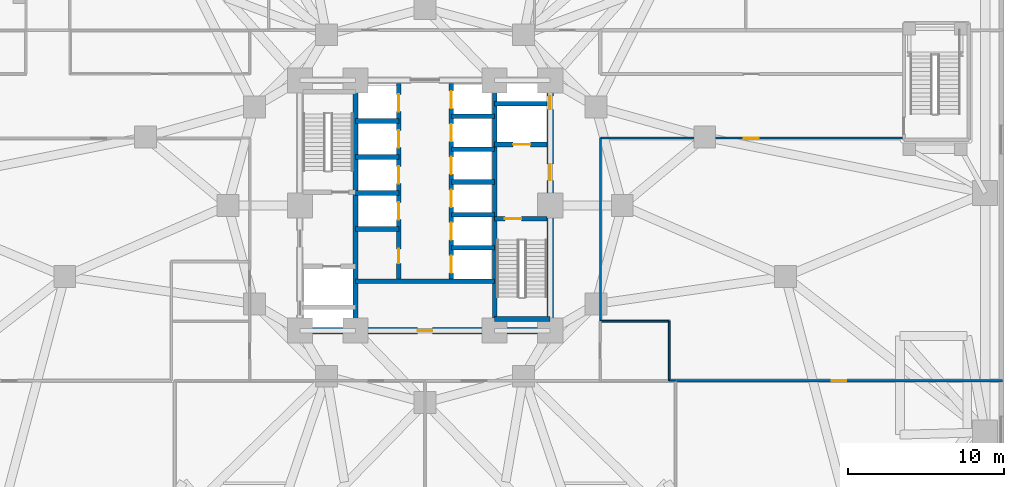
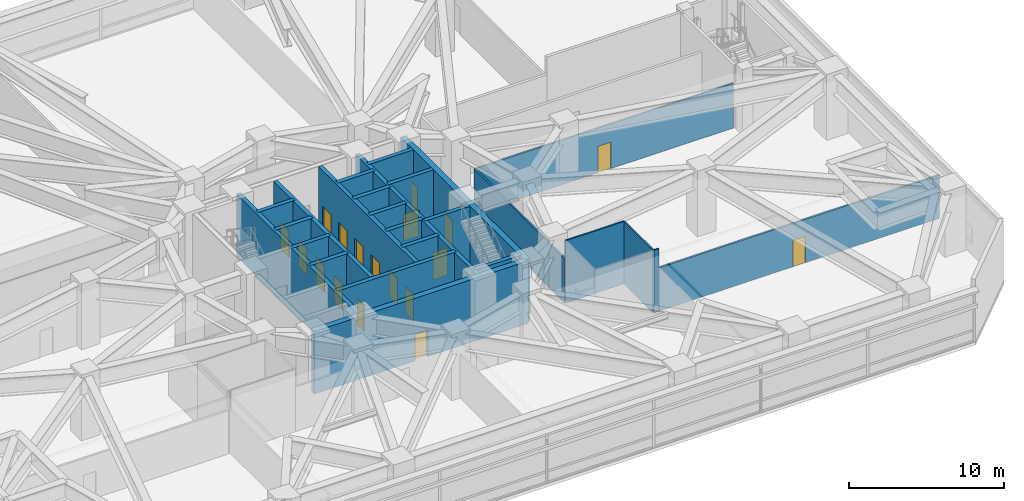
# One storey, part 16 of 27: 26 walls, 18 doors, 18 openings.
"""IFC4 building model written with IfcOpenShell, lengths in metres."""

from ifc_helpers import new_model, si_unit, direction, frame, frame_2d, origin, place, context, subcontext, project, spatial, rectangle, extrude, material, layer, layer_set, type_object, element, fill, save


model = new_model("IFC4")

# Units and contexts
model_context = context("Model", 3, precision=1e-05, world=origin(), true_north=direction((0.0, 1.0)))
body_context = subcontext(model_context, "Body", "Model", "MODEL_VIEW")
ifc_project = project(units=[si_unit("LENGTHUNIT", "METRE"), si_unit("AREAUNIT", "SQUARE_METRE"), si_unit("VOLUMEUNIT", "CUBIC_METRE"), si_unit("PLANEANGLEUNIT", "RADIAN"), si_unit("MASSUNIT", "GRAM", prefix="KILO")], contexts=[model_context])

# Site, building, storey
site_placement = place(None, origin())
site = spatial("IfcSite", under=ifc_project, at=site_placement, CompositionType="ELEMENT")
building_placement = place(site_placement, origin())
building = spatial("IfcBuilding", under=site, at=building_placement, Name="Terralouvre Media Tower", CompositionType="ELEMENT")
storey_placement = place(building_placement, frame((0.0, 0.0, 20.800048828125)))
storey = spatial("IfcBuildingStorey", under=building, at=storey_placement, Name="L04", CompositionType="ELEMENT", Elevation=20.800048828125)

# Walls
ifc_material_1 = material(Name="Concrete C50/60", Category="concrete")
ifc_layer_1 = layer(ifc_material_1, 0.300048828125, Name="Core Internal Shaft Wall CW-300")
ifc_layer_set_1 = layer_set([ifc_layer_1], Name="Concrete C50/60")
wall_type_1 = type_object("IfcWallType", Name="Core Internal Shaft Wall CW-300", PredefinedType="SHEAR", material=ifc_layer_set_1)
for number, where, z_axis, x_axis, name in (
    (1, (-4.449951171875, -7.7900390625, 0.0), (0.0, 0.0, 1.0), (0.0, 1.0, 0.0), "L04 Core Shaft Wall SPW"),
    (2, (4.449951171875, -7.7900390625, 0.0), (0.0, 0.0, 1.0), (0.0, 1.0, 0.0), "L04 Core Shaft Wall SPE"),
):
    element("IfcWall", number, at=place(storey_placement, frame(where, z_axis=z_axis, x_axis=x_axis)), inside=storey, type_object=wall_type_1, Name=name, PredefinedType="SHEAR", context=body_context, shape_type="SweptSolid", body=[
        extrude(rectangle(XDim=15.580078125, YDim=0.300048828125, at=frame_2d((7.7900390625, 0.0))), origin(), (0.0, 0.0, 1.0), 4.93994140625),
    ])

# Wall, opening, door
wall_1_placement = place(storey_placement, frame((4.449951171875, -0.85009765625, 0.0), z_axis=(0.0, 0.0, 1.0), x_axis=(1.0, 0.0, 0.0)))
wall_1 = element("IfcWall", 3, at=wall_1_placement, inside=storey, type_object=wall_type_1, Name="L04 Core Shaft Wall ST2D", PredefinedType="SHEAR", context=body_context, shape_type="SweptSolid", body=[
    extrude(rectangle(XDim=3.340087890625, YDim=0.300048828125, at=frame_2d((1.669921875, 0.0))), origin(), (0.0, 0.0, 1.0), 4.93994140625),
])
opening_1_placement = place(wall_1_placement, frame((0.64990234375, 0.0, 0.0)))
opening_1 = element("IfcOpeningElement", 4, at=opening_1_placement, cuts=wall_1, Name="Opening FD-01-105X215", PredefinedType="OPENING", context=body_context, shape_type="SweptSolid", body=[
    extrude(rectangle(XDim=1.050048828125, YDim=2.14990234375, at=frame_2d((0.52490234375, 1.074951171875))), frame((0.0, 0.159912109375, 0.0), z_axis=(0.0, -1.0, 0.0), x_axis=(1.0, 0.0, 0.0)), (0.0, 0.0, 1.0), 0.320068359375),
])
ifc_material_2 = material(Name="Galvanised steel fire-resisting leaf", Category="steel")
door_type_1 = type_object("IfcDoorType", Name="Stair and Firefighting Lobby Fire Door FD-01 (1050x2150)", OperationType="NOTDEFINED", PredefinedType="DOOR", material=ifc_material_2)
door_1_placement = place(opening_1_placement, origin())
door_1 = element("IfcDoor", 5, at=door_1_placement, inside=storey, type_object=door_type_1, Name="L04 ST-02 Exit Stair Door", OperationType="SINGLE_SWING_RIGHT", OverallHeight=2.14990234375, OverallWidth=1.050048828125, PredefinedType="DOOR", context=body_context, shape_type="SweptSolid", body=[
    extrude(rectangle(XDim=1.050048828125, YDim=2.14990234375, at=frame_2d((0.52490234375, 1.074951171875))), frame((0.0, 0.02490234375, 0.0), z_axis=(0.0, -1.0, 0.0), x_axis=(1.0, 0.0, 0.0)), (0.0, 0.0, 1.0), 0.050048828125),
])
fill(opening_1, door_1)

# Wall
wall_2_placement = place(storey_placement, frame((4.449951171875, -7.260009765625, 0.0), z_axis=(0.0, 0.0, 1.0), x_axis=(1.0, 0.0, 0.0)))
element("IfcWall", 6, at=wall_2_placement, inside=storey, type_object=wall_type_1, Name="L04 Core Shaft Wall ST2F", PredefinedType="SHEAR", context=body_context, shape_type="SweptSolid", body=[
    extrude(rectangle(XDim=3.550048828125, YDim=0.300048828125, at=frame_2d((1.77490234375, 0.0))), origin(), (0.0, 0.0, 1.0), 4.93994140625),
])

# Wall, opening, door
wall_3_placement = place(storey_placement, frame((4.449951171875, 3.89990234375, 0.0), z_axis=(0.0, 0.0, 1.0), x_axis=(1.0, 0.0, 0.0)))
wall_3 = element("IfcWall", 7, at=wall_3_placement, inside=storey, type_object=wall_type_1, Name="L04 Core Shaft Wall FF2S", PredefinedType="SHEAR", context=body_context, shape_type="SweptSolid", body=[
    extrude(rectangle(XDim=3.340087890625, YDim=0.300048828125, at=frame_2d((1.669921875, 0.0))), origin(), (0.0, 0.0, 1.0), 4.93994140625),
])
opening_2_placement = place(wall_3_placement, frame((1.179931640625, 0.0, 0.0)))
opening_2 = element("IfcOpeningElement", 8, at=opening_2_placement, cuts=wall_3, Name="Opening LD-FF", PredefinedType="OPENING", context=body_context, shape_type="SweptSolid", body=[
    extrude(rectangle(XDim=1.10009765625, YDim=2.10009765625, at=frame_2d((0.550048828125, 1.050048828125))), frame((0.0, 0.159912109375, 0.0), z_axis=(0.0, -1.0, 0.0), x_axis=(1.0, 0.0, 0.0)), (0.0, 0.0, 1.0), 0.320068359375),
])
ifc_material_3 = material(Name="Stainless steel 316 handrail and balustrade", Category="steel")
door_type_2 = type_object("IfcDoorType", Name="Firefighting Lift Sliding Landing Door LD-FF", OperationType="SLIDING_TO_LEFT", PredefinedType="DOOR", material=ifc_material_3)
door_2_placement = place(opening_2_placement, origin())
door_2 = element("IfcDoor", 9, at=door_2_placement, inside=storey, type_object=door_type_2, Name="L04 Firefighting Lift FFL-02 Landing Door", OperationType="SLIDING_TO_LEFT", OverallHeight=2.10009765625, OverallWidth=1.10009765625, PredefinedType="DOOR", context=body_context, shape_type="SweptSolid", body=[
    extrude(rectangle(XDim=1.10009765625, YDim=2.10009765625, at=frame_2d((0.550048828125, 1.050048828125))), frame((0.0, 0.02490234375, 0.0), z_axis=(0.0, -1.0, 0.0), x_axis=(1.0, 0.0, 0.0)), (0.0, 0.0, 1.0), 0.050048828125),
])
fill(opening_2, door_2)

# Walls
wall_4_placement = place(storey_placement, frame((4.449951171875, 6.5, 0.0), z_axis=(0.0, 0.0, 1.0), x_axis=(1.0, 0.0, 0.0)))
element("IfcWall", 10, at=wall_4_placement, inside=storey, type_object=wall_type_1, Name="L04 Core Shaft Wall FF2N", PredefinedType="SHEAR", context=body_context, shape_type="SweptSolid", body=[
    extrude(rectangle(XDim=3.340087890625, YDim=0.300048828125, at=frame_2d((1.669921875, 0.0))), origin(), (0.0, 0.0, 1.0), 4.93994140625),
])
wall_5_placement = place(storey_placement, frame((-4.449951171875, -4.85009765625, 0.0), z_axis=(0.0, 0.0, 1.0), x_axis=(1.0, 0.0, 0.0)))
element("IfcWall", 11, at=wall_5_placement, inside=storey, type_object=wall_type_1, Name="L04 Core Shaft Wall CSBN", PredefinedType="SHEAR", context=body_context, shape_type="SweptSolid", body=[
    extrude(rectangle(XDim=8.89990234375, YDim=0.300048828125, at=frame_2d((4.449951171875, 0.0))), origin(), (0.0, 0.0, 1.0), 4.93994140625),
])

# Wall, openings, doors
wall_6_placement = place(storey_placement, frame((-1.679931640625, -4.85009765625, 0.0), z_axis=(0.0, 0.0, 1.0), x_axis=(0.0, 1.0, 0.0)))
wall_6 = element("IfcWall", 12, at=wall_6_placement, inside=storey, type_object=wall_type_1, Name="L04 Core Shaft Wall LBW", PredefinedType="SHEAR", context=body_context, shape_type="SweptSolid", body=[
    extrude(rectangle(XDim=12.64013671875, YDim=0.300048828125, at=frame_2d((6.320068359375, 0.0))), origin(), (0.0, 0.0, 1.0), 4.93994140625),
])
opening_3_placement = place(wall_6_placement, frame((3.949951171875, 0.0, 0.0)))
opening_3 = element("IfcOpeningElement", 13, at=opening_3_placement, cuts=wall_6, Name="Opening LD-PL", PredefinedType="OPENING", context=body_context, shape_type="SweptSolid", body=[
    extrude(rectangle(XDim=1.10009765625, YDim=2.10009765625, at=frame_2d((0.550048828125, 1.050048828125))), frame((0.0, 0.159912109375, 0.0), z_axis=(0.0, -1.0, 0.0), x_axis=(1.0, 0.0, 0.0)), (0.0, 0.0, 1.0), 0.320068359375),
])
opening_4_placement = place(wall_6_placement, frame((6.25, 0.0, 0.0)))
opening_4 = element("IfcOpeningElement", 14, at=opening_4_placement, cuts=wall_6, Name="Opening LD-PL", PredefinedType="OPENING", context=body_context, shape_type="SweptSolid", body=[
    extrude(rectangle(XDim=1.10009765625, YDim=2.10009765625, at=frame_2d((0.550048828125, 1.050048828125))), frame((0.0, 0.159912109375, 0.0), z_axis=(0.0, -1.0, 0.0), x_axis=(1.0, 0.0, 0.0)), (0.0, 0.0, 1.0), 0.320068359375),
])
opening_5_placement = place(wall_6_placement, frame((8.550048828125, 0.0, 0.0)))
opening_5 = element("IfcOpeningElement", 15, at=opening_5_placement, cuts=wall_6, Name="Opening LD-PL", PredefinedType="OPENING", context=body_context, shape_type="SweptSolid", body=[
    extrude(rectangle(XDim=1.10009765625, YDim=2.10009765625, at=frame_2d((0.550048828125, 1.050048828125))), frame((0.0, 0.159912109375, 0.0), z_axis=(0.0, -1.0, 0.0), x_axis=(1.0, 0.0, 0.0)), (0.0, 0.0, 1.0), 0.320068359375),
])
opening_6_placement = place(wall_6_placement, frame((10.85009765625, 0.0, 0.0)))
opening_6 = element("IfcOpeningElement", 16, at=opening_6_placement, cuts=wall_6, Name="Opening LD-PL", PredefinedType="OPENING", context=body_context, shape_type="SweptSolid", body=[
    extrude(rectangle(XDim=1.10009765625, YDim=2.10009765625, at=frame_2d((0.550048828125, 1.050048828125))), frame((0.0, 0.159912109375, 0.0), z_axis=(0.0, -1.0, 0.0), x_axis=(1.0, 0.0, 0.0)), (0.0, 0.0, 1.0), 0.320068359375),
])
opening_7_placement = place(wall_6_placement, frame((1.14990234375, 0.0, 0.0)))
opening_7 = element("IfcOpeningElement", 17, at=opening_7_placement, cuts=wall_6, Name="Opening FD-05-92X210", PredefinedType="OPENING", context=body_context, shape_type="SweptSolid", body=[
    extrude(rectangle(XDim=0.919921875, YDim=2.10009765625, at=frame_2d((0.4599609375, 1.050048828125))), frame((0.0, 0.159912109375, 0.0), z_axis=(0.0, -1.0, 0.0), x_axis=(1.0, 0.0, 0.0)), (0.0, 0.0, 1.0), 0.320068359375),
])
ifc_material_4 = material(Name="Galvanised steel fire-resisting leaf", Category="steel")
door_type_3 = type_object("IfcDoorType", Name="Core Accessible Closet Fire Door FD-05 (920x2100)", OperationType="NOTDEFINED", PredefinedType="DOOR", material=ifc_material_4)
door_3_placement = place(opening_7_placement, origin())
door_3 = element("IfcDoor", 18, at=door_3_placement, inside=storey, type_object=door_type_3, Name="L04 Core Cleaners Closet Door", OperationType="SINGLE_SWING_LEFT", OverallHeight=2.10009765625, OverallWidth=0.919921875, PredefinedType="DOOR", context=body_context, shape_type="SweptSolid", body=[
    extrude(rectangle(XDim=0.919921875, YDim=2.10009765625, at=frame_2d((0.4599609375, 1.050048828125))), frame((0.0, 0.02490234375, 0.0), z_axis=(0.0, -1.0, 0.0), x_axis=(1.0, 0.0, 0.0)), (0.0, 0.0, 1.0), 0.050048828125),
])
fill(opening_7, door_3)
ifc_material_5 = material(Name="Stainless steel 316 handrail and balustrade", Category="steel")
door_type_4 = type_object("IfcDoorType", Name="Passenger Lift Sliding Landing Door LD-PL", OperationType="SLIDING_TO_LEFT", PredefinedType="DOOR", material=ifc_material_5)
door_4_placement = place(opening_3_placement, origin())
door_4 = element("IfcDoor", 19, at=door_4_placement, inside=storey, type_object=door_type_4, Name="L04 Low-Rise Lift PL-L1 Landing Door", OperationType="SLIDING_TO_LEFT", OverallHeight=2.10009765625, OverallWidth=1.10009765625, PredefinedType="DOOR", context=body_context, shape_type="SweptSolid", body=[
    extrude(rectangle(XDim=1.10009765625, YDim=2.10009765625, at=frame_2d((0.550048828125, 1.050048828125))), frame((0.0, 0.02490234375, 0.0), z_axis=(0.0, -1.0, 0.0), x_axis=(1.0, 0.0, 0.0)), (0.0, 0.0, 1.0), 0.050048828125),
])
fill(opening_3, door_4)
door_5_placement = place(opening_4_placement, origin())
door_5 = element("IfcDoor", 20, at=door_5_placement, inside=storey, type_object=door_type_4, Name="L04 Low-Rise Lift PL-L2 Landing Door", OperationType="SLIDING_TO_LEFT", OverallHeight=2.10009765625, OverallWidth=1.10009765625, PredefinedType="DOOR", context=body_context, shape_type="SweptSolid", body=[
    extrude(rectangle(XDim=1.10009765625, YDim=2.10009765625, at=frame_2d((0.550048828125, 1.050048828125))), frame((0.0, 0.02490234375, 0.0), z_axis=(0.0, -1.0, 0.0), x_axis=(1.0, 0.0, 0.0)), (0.0, 0.0, 1.0), 0.050048828125),
])
fill(opening_4, door_5)
door_6_placement = place(opening_5_placement, origin())
door_6 = element("IfcDoor", 21, at=door_6_placement, inside=storey, type_object=door_type_4, Name="L04 Low-Rise Lift PL-L3 Landing Door", OperationType="SLIDING_TO_LEFT", OverallHeight=2.10009765625, OverallWidth=1.10009765625, PredefinedType="DOOR", context=body_context, shape_type="SweptSolid", body=[
    extrude(rectangle(XDim=1.10009765625, YDim=2.10009765625, at=frame_2d((0.550048828125, 1.050048828125))), frame((0.0, 0.02490234375, 0.0), z_axis=(0.0, -1.0, 0.0), x_axis=(1.0, 0.0, 0.0)), (0.0, 0.0, 1.0), 0.050048828125),
])
fill(opening_5, door_6)
door_7_placement = place(opening_6_placement, origin())
door_7 = element("IfcDoor", 22, at=door_7_placement, inside=storey, type_object=door_type_4, Name="L04 Low-Rise Lift PL-L4 Landing Door", OperationType="SLIDING_TO_LEFT", OverallHeight=2.10009765625, OverallWidth=1.10009765625, PredefinedType="DOOR", context=body_context, shape_type="SweptSolid", body=[
    extrude(rectangle(XDim=1.10009765625, YDim=2.10009765625, at=frame_2d((0.550048828125, 1.050048828125))), frame((0.0, 0.02490234375, 0.0), z_axis=(0.0, -1.0, 0.0), x_axis=(1.0, 0.0, 0.0)), (0.0, 0.0, 1.0), 0.050048828125),
])
fill(opening_6, door_7)

wall_7_placement = place(storey_placement, frame((1.679931640625, -4.85009765625, 0.0), z_axis=(0.0, 0.0, 1.0), x_axis=(0.0, 1.0, 0.0)))
wall_7 = element("IfcWall", 23, at=wall_7_placement, inside=storey, type_object=wall_type_1, Name="L04 Core Shaft Wall LBE", PredefinedType="SHEAR", context=body_context, shape_type="SweptSolid", body=[
    extrude(rectangle(XDim=12.64013671875, YDim=0.300048828125, at=frame_2d((6.320068359375, 0.0))), origin(), (0.0, 0.0, 1.0), 4.93994140625),
])
opening_8_placement = place(wall_7_placement, frame((0.550048828125, 0.0, 0.0)))
opening_8 = element("IfcOpeningElement", 24, at=opening_8_placement, cuts=wall_7, Name="Opening LD-PL", PredefinedType="OPENING", context=body_context, shape_type="SweptSolid", body=[
    extrude(rectangle(XDim=1.10009765625, YDim=2.10009765625, at=frame_2d((0.550048828125, 1.050048828125))), frame((0.0, 0.159912109375, 0.0), z_axis=(0.0, -1.0, 0.0), x_axis=(1.0, 0.0, 0.0)), (0.0, 0.0, 1.0), 0.320068359375),
])
opening_9_placement = place(wall_7_placement, frame((2.64990234375, 0.0, 0.0)))
opening_9 = element("IfcOpeningElement", 25, at=opening_9_placement, cuts=wall_7, Name="Opening LD-PL", PredefinedType="OPENING", context=body_context, shape_type="SweptSolid", body=[
    extrude(rectangle(XDim=1.10009765625, YDim=2.10009765625, at=frame_2d((0.550048828125, 1.050048828125))), frame((0.0, 0.159912109375, 0.0), z_axis=(0.0, -1.0, 0.0), x_axis=(1.0, 0.0, 0.0)), (0.0, 0.0, 1.0), 0.320068359375),
])
opening_10_placement = place(wall_7_placement, frame((4.75, 0.0, 0.0)))
opening_10 = element("IfcOpeningElement", 26, at=opening_10_placement, cuts=wall_7, Name="Opening LD-PL", PredefinedType="OPENING", context=body_context, shape_type="SweptSolid", body=[
    extrude(rectangle(XDim=1.10009765625, YDim=2.10009765625, at=frame_2d((0.550048828125, 1.050048828125))), frame((0.0, 0.159912109375, 0.0), z_axis=(0.0, -1.0, 0.0), x_axis=(1.0, 0.0, 0.0)), (0.0, 0.0, 1.0), 0.320068359375),
])
opening_11_placement = place(wall_7_placement, frame((6.85009765625, 0.0, 0.0)))
opening_11 = element("IfcOpeningElement", 27, at=opening_11_placement, cuts=wall_7, Name="Opening LD-PL", PredefinedType="OPENING", context=body_context, shape_type="SweptSolid", body=[
    extrude(rectangle(XDim=1.10009765625, YDim=2.10009765625, at=frame_2d((0.550048828125, 1.050048828125))), frame((0.0, 0.159912109375, 0.0), z_axis=(0.0, -1.0, 0.0), x_axis=(1.0, 0.0, 0.0)), (0.0, 0.0, 1.0), 0.320068359375),
])
opening_12_placement = place(wall_7_placement, frame((8.949951171875, 0.0, 0.0)))
opening_12 = element("IfcOpeningElement", 28, at=opening_12_placement, cuts=wall_7, Name="Opening LD-PL", PredefinedType="OPENING", context=body_context, shape_type="SweptSolid", body=[
    extrude(rectangle(XDim=1.10009765625, YDim=2.10009765625, at=frame_2d((0.550048828125, 1.050048828125))), frame((0.0, 0.159912109375, 0.0), z_axis=(0.0, -1.0, 0.0), x_axis=(1.0, 0.0, 0.0)), (0.0, 0.0, 1.0), 0.320068359375),
])
opening_13_placement = place(wall_7_placement, frame((11.050048828125, 0.0, 0.0)))
opening_13 = element("IfcOpeningElement", 29, at=opening_13_placement, cuts=wall_7, Name="Opening LD-PL", PredefinedType="OPENING", context=body_context, shape_type="SweptSolid", body=[
    extrude(rectangle(XDim=1.10009765625, YDim=2.10009765625, at=frame_2d((0.550048828125, 1.050048828125))), frame((0.0, 0.159912109375, 0.0), z_axis=(0.0, -1.0, 0.0), x_axis=(1.0, 0.0, 0.0)), (0.0, 0.0, 1.0), 0.320068359375),
])
door_8_placement = place(opening_8_placement, origin())
door_8 = element("IfcDoor", 30, at=door_8_placement, inside=storey, type_object=door_type_4, Name="L04 High-Rise Lift PL-H1 Landing Door", OperationType="SLIDING_TO_LEFT", OverallHeight=2.10009765625, OverallWidth=1.10009765625, PredefinedType="DOOR", context=body_context, shape_type="SweptSolid", body=[
    extrude(rectangle(XDim=1.10009765625, YDim=2.10009765625, at=frame_2d((0.550048828125, 1.050048828125))), frame((0.0, 0.02490234375, 0.0), z_axis=(0.0, -1.0, 0.0), x_axis=(1.0, 0.0, 0.0)), (0.0, 0.0, 1.0), 0.050048828125),
])
fill(opening_8, door_8)
door_9_placement = place(opening_9_placement, origin())
door_9 = element("IfcDoor", 31, at=door_9_placement, inside=storey, type_object=door_type_4, Name="L04 High-Rise Lift PL-H2 Landing Door", OperationType="SLIDING_TO_LEFT", OverallHeight=2.10009765625, OverallWidth=1.10009765625, PredefinedType="DOOR", context=body_context, shape_type="SweptSolid", body=[
    extrude(rectangle(XDim=1.10009765625, YDim=2.10009765625, at=frame_2d((0.550048828125, 1.050048828125))), frame((0.0, 0.02490234375, 0.0), z_axis=(0.0, -1.0, 0.0), x_axis=(1.0, 0.0, 0.0)), (0.0, 0.0, 1.0), 0.050048828125),
])
fill(opening_9, door_9)
door_10_placement = place(opening_10_placement, origin())
door_10 = element("IfcDoor", 32, at=door_10_placement, inside=storey, type_object=door_type_4, Name="L04 High-Rise Lift PL-H3 Landing Door", OperationType="SLIDING_TO_LEFT", OverallHeight=2.10009765625, OverallWidth=1.10009765625, PredefinedType="DOOR", context=body_context, shape_type="SweptSolid", body=[
    extrude(rectangle(XDim=1.10009765625, YDim=2.10009765625, at=frame_2d((0.550048828125, 1.050048828125))), frame((0.0, 0.02490234375, 0.0), z_axis=(0.0, -1.0, 0.0), x_axis=(1.0, 0.0, 0.0)), (0.0, 0.0, 1.0), 0.050048828125),
])
fill(opening_10, door_10)
door_11_placement = place(opening_11_placement, origin())
door_11 = element("IfcDoor", 33, at=door_11_placement, inside=storey, type_object=door_type_4, Name="L04 Mid-Rise Lift PL-M1 Landing Door", OperationType="SLIDING_TO_LEFT", OverallHeight=2.10009765625, OverallWidth=1.10009765625, PredefinedType="DOOR", context=body_context, shape_type="SweptSolid", body=[
    extrude(rectangle(XDim=1.10009765625, YDim=2.10009765625, at=frame_2d((0.550048828125, 1.050048828125))), frame((0.0, 0.02490234375, 0.0), z_axis=(0.0, -1.0, 0.0), x_axis=(1.0, 0.0, 0.0)), (0.0, 0.0, 1.0), 0.050048828125),
])
fill(opening_11, door_11)
door_12_placement = place(opening_12_placement, origin())
door_12 = element("IfcDoor", 34, at=door_12_placement, inside=storey, type_object=door_type_4, Name="L04 Mid-Rise Lift PL-M2 Landing Door", OperationType="SLIDING_TO_LEFT", OverallHeight=2.10009765625, OverallWidth=1.10009765625, PredefinedType="DOOR", context=body_context, shape_type="SweptSolid", body=[
    extrude(rectangle(XDim=1.10009765625, YDim=2.10009765625, at=frame_2d((0.550048828125, 1.050048828125))), frame((0.0, 0.02490234375, 0.0), z_axis=(0.0, -1.0, 0.0), x_axis=(1.0, 0.0, 0.0)), (0.0, 0.0, 1.0), 0.050048828125),
])
fill(opening_12, door_12)
door_13_placement = place(opening_13_placement, origin())
door_13 = element("IfcDoor", 35, at=door_13_placement, inside=storey, type_object=door_type_4, Name="L04 Mid-Rise Lift PL-M3 Landing Door", OperationType="SLIDING_TO_LEFT", OverallHeight=2.10009765625, OverallWidth=1.10009765625, PredefinedType="DOOR", context=body_context, shape_type="SweptSolid", body=[
    extrude(rectangle(XDim=1.10009765625, YDim=2.10009765625, at=frame_2d((0.550048828125, 1.050048828125))), frame((0.0, 0.02490234375, 0.0), z_axis=(0.0, -1.0, 0.0), x_axis=(1.0, 0.0, 0.0)), (0.0, 0.0, 1.0), 0.050048828125),
])
fill(opening_13, door_13)

# Walls
for number, where, z_axis, x_axis, name in (
    (36, (-4.449951171875, -1.5, 0.0), (0.0, 0.0, 1.0), (1.0, 0.0, 0.0), "L04 Core Shaft Wall PLLD0"),
    (37, (-4.449951171875, 0.800048828125, 0.0), (0.0, 0.0, 1.0), (1.0, 0.0, 0.0), "L04 Core Shaft Wall PLLD1"),
    (38, (-4.449951171875, 3.10009765625, 0.0), (0.0, 0.0, 1.0), (1.0, 0.0, 0.0), "L04 Core Shaft Wall PLLD2"),
    (39, (-4.449951171875, 5.39990234375, 0.0), (0.0, 0.0, 1.0), (1.0, 0.0, 0.0), "L04 Core Shaft Wall PLLD3"),
    (40, (1.679931640625, 1.5, 0.0), (0.0, 0.0, 1.0), (1.0, 0.0, 0.0), "L04 Core Shaft Wall PLMD0"),
    (41, (1.679931640625, 3.60009765625, 0.0), (0.0, 0.0, 1.0), (1.0, 0.0, 0.0), "L04 Core Shaft Wall PLMD1"),
    (42, (1.679931640625, 5.699951171875, 0.0), (0.0, 0.0, 1.0), (1.0, 0.0, 0.0), "L04 Core Shaft Wall PLMD2"),
    (43, (1.679931640625, -2.699951171875, 0.0), (0.0, 0.0, 1.0), (1.0, 0.0, 0.0), "L04 Core Shaft Wall PLHD1"),
    (44, (1.679931640625, -0.60009765625, 0.0), (0.0, 0.0, 1.0), (1.0, 0.0, 0.0), "L04 Core Shaft Wall PLHD2"),
):
    element("IfcWall", number, at=place(storey_placement, frame(where, z_axis=z_axis, x_axis=x_axis)), inside=storey, type_object=wall_type_1, Name=name, PredefinedType="SHEAR", context=body_context, shape_type="SweptSolid", body=[
        extrude(rectangle(XDim=2.77001953125, YDim=0.300048828125, at=frame_2d((1.385009765625, 0.0))), origin(), (0.0, 0.0, 1.0), 4.93994140625),
    ])

# Wall, openings, doors
ifc_material_6 = material(Name="Concrete C60/75", Category="concrete")
ifc_layer_2 = layer(ifc_material_6, 0.419921875, Name="Core Reinforced Concrete Shear Wall CW-420")
ifc_layer_set_2 = layer_set([ifc_layer_2], Name="Concrete C60/75")
wall_type_2 = type_object("IfcWallType", Name="Core Reinforced Concrete Shear Wall CW-420", PredefinedType="SHEAR", material=ifc_layer_set_2)
wall_8_placement = place(storey_placement, frame((8.0, -8.0, 0.0), z_axis=(0.0, 0.0, 1.0), x_axis=(0.0, 1.0, 0.0)))
wall_8 = element("IfcWall", 45, at=wall_8_placement, inside=storey, type_object=wall_type_2, Name="L04 E Core Shear Wall", PredefinedType="SHEAR", context=body_context, shape_type="SweptSolid", body=[
    extrude(rectangle(XDim=16.0, YDim=0.419921875, at=frame_2d((8.0, 0.0))), origin(), (0.0, 0.0, 1.0), 4.93994140625),
])
opening_14_placement = place(wall_8_placement, frame((9.60009765625, 0.0, 0.0)))
opening_14 = element("IfcOpeningElement", 46, at=opening_14_placement, cuts=wall_8, Name="Opening FD-01-105X215", PredefinedType="OPENING", context=body_context, shape_type="SweptSolid", body=[
    extrude(rectangle(XDim=1.050048828125, YDim=2.14990234375, at=frame_2d((0.52490234375, 1.074951171875))), frame((0.0, 0.219970703125, 0.0), z_axis=(0.0, -1.0, 0.0), x_axis=(1.0, 0.0, 0.0)), (0.0, 0.0, 1.0), 0.43994140625),
])
opening_15_placement = place(wall_8_placement, frame((14.148193359375, 0.0, 0.0)))
opening_15 = element("IfcOpeningElement", 47, at=opening_15_placement, cuts=wall_8, Name="Opening TD-R1", PredefinedType="OPENING", context=body_context, shape_type="SweptSolid", body=[
    extrude(rectangle(XDim=0.85009765625, YDim=2.02001953125, at=frame_2d((0.425048828125, 1.010009765625))), frame((0.0, 0.219970703125, 0.0), z_axis=(0.0, -1.0, 0.0), x_axis=(1.0, 0.0, 0.0)), (0.0, 0.0, 1.0), 0.43994140625),
])
ifc_material_7 = material(Name="Galvanised steel fire-resisting leaf", Category="steel")
door_type_5 = type_object("IfcDoorType", Name="Riser Inspection Access Trapdoor TD-R1", OperationType="NOTDEFINED", PredefinedType="TRAPDOOR", material=ifc_material_7)
door_14_placement = place(opening_15_placement, origin())
door_14 = element("IfcDoor", 48, at=door_14_placement, inside=storey, type_object=door_type_5, Name="L04 East Comms Riser Access Trapdoor", OperationType="SINGLE_SWING_RIGHT", OverallHeight=2.02001953125, OverallWidth=0.85009765625, PredefinedType="TRAPDOOR", context=body_context, shape_type="SweptSolid", body=[
    extrude(rectangle(XDim=0.85009765625, YDim=2.02001953125, at=frame_2d((0.425048828125, 1.010009765625))), frame((0.0, 0.02490234375, 0.0), z_axis=(0.0, -1.0, 0.0), x_axis=(1.0, 0.0, 0.0)), (0.0, 0.0, 1.0), 0.050048828125),
])
fill(opening_15, door_14)
door_15_placement = place(opening_14_placement, origin())
door_15 = element("IfcDoor", 49, at=door_15_placement, inside=storey, type_object=door_type_1, Name="L04 East Firefighting Lobby Entry Door", OperationType="SINGLE_SWING_LEFT", OverallHeight=2.14990234375, OverallWidth=1.050048828125, PredefinedType="DOOR", context=body_context, shape_type="SweptSolid", body=[
    extrude(rectangle(XDim=1.050048828125, YDim=2.14990234375, at=frame_2d((0.52490234375, 1.074951171875))), frame((0.0, 0.02490234375, 0.0), z_axis=(0.0, -1.0, 0.0), x_axis=(1.0, 0.0, 0.0)), (0.0, 0.0, 1.0), 0.050048828125),
])
fill(opening_14, door_15)

# Wall, opening, door
wall_9_placement = place(storey_placement, frame((-8.0, -8.0, 0.0), z_axis=(0.0, 0.0, 1.0), x_axis=(1.0, 0.0, 0.0)))
wall_9 = element("IfcWall", 50, at=wall_9_placement, inside=storey, type_object=wall_type_2, Name="L04 S Core Shear Wall", PredefinedType="SHEAR", context=body_context, shape_type="SweptSolid", body=[
    extrude(rectangle(XDim=16.0, YDim=0.419921875, at=frame_2d((8.0, 0.0))), origin(), (0.0, 0.0, 1.0), 4.93994140625),
])
opening_16_placement = place(wall_9_placement, frame((7.52001953125, 0.0, 0.0)))
opening_16 = element("IfcOpeningElement", 51, at=opening_16_placement, cuts=wall_9, Name="Opening FD-02-95X210", PredefinedType="OPENING", context=body_context, shape_type="SweptSolid", body=[
    extrude(rectangle(XDim=0.949951171875, YDim=2.10009765625, at=frame_2d((0.47509765625, 1.050048828125))), frame((0.0, 0.219970703125, 0.0), z_axis=(0.0, -1.0, 0.0), x_axis=(1.0, 0.0, 0.0)), (0.0, 0.0, 1.0), 0.43994140625),
])
ifc_material_8 = material(Name="Galvanised steel fire-resisting leaf", Category="steel")
door_type_6 = type_object("IfcDoorType", Name="Plant and Riser Fire Door FD-02 (950x2100)", OperationType="NOTDEFINED", PredefinedType="DOOR", material=ifc_material_8)
door_16_placement = place(opening_16_placement, origin())
door_16 = element("IfcDoor", 52, at=door_16_placement, inside=storey, type_object=door_type_6, Name="L04 Core Switchgear Plant Door", OperationType="SINGLE_SWING_LEFT", OverallHeight=2.10009765625, OverallWidth=0.949951171875, PredefinedType="DOOR", context=body_context, shape_type="SweptSolid", body=[
    extrude(rectangle(XDim=0.949951171875, YDim=2.10009765625, at=frame_2d((0.47509765625, 1.050048828125))), frame((0.0, 0.02490234375, 0.0), z_axis=(0.0, -1.0, 0.0), x_axis=(1.0, 0.0, 0.0)), (0.0, 0.0, 1.0), 0.050048828125),
])
fill(opening_16, door_16)

# Walls
ifc_material_9 = material(Name="Low-iron laminated double glazing with solar-control coating", Category="glass")
ifc_layer_3 = layer(ifc_material_9, 0.10009765625, Name="Demountable Glazed Office Partition PT-GL100")
ifc_layer_set_3 = layer_set([ifc_layer_3], Name="Low-iron laminated double glazing with solar-control coating")
wall_type_3 = type_object("IfcWallType", Name="Demountable Glazed Office Partition PT-GL100", PredefinedType="MOVABLE", material=ifc_layer_set_3)
wall_10_placement = place(storey_placement, frame((16.0, -11.199951171875, 0.0), z_axis=(0.0, 0.0, 1.0), x_axis=(-1.0, 0.0, 0.0)))
element("IfcWall", 53, at=wall_10_placement, inside=storey, type_object=wall_type_3, Name="L04 Interior Partition 035", PredefinedType="MOVABLE", context=body_context, shape_type="SweptSolid", body=[
    extrude(rectangle(XDim=0.39990234375, YDim=0.10009765625, at=frame_2d((0.199951171875, 0.0))), origin(), (0.0, 0.0, 1.0), 4.93994140625),
])
ifc_material_10 = material(Name="Fire-rated gypsum board drywall partition")
ifc_layer_4 = layer(ifc_material_10, 0.135009765625, Name="Newsroom Acoustic Partition PT-135")
ifc_layer_set_4 = layer_set([ifc_layer_4], Name="Fire-rated gypsum board drywall partition")
wall_type_4 = type_object("IfcWallType", Name="Newsroom Acoustic Partition PT-135", PredefinedType="PARTITIONING", material=ifc_layer_set_4)
wall_11_placement = place(storey_placement, frame((11.199951171875, -7.39990234375, 0.0), z_axis=(0.0, 0.0, 1.0), x_axis=(0.0, 1.0, 0.0)))
element("IfcWall", 54, at=wall_11_placement, inside=storey, type_object=wall_type_4, Name="L04 Interior Partition 009", PredefinedType="PARTITIONING", context=body_context, shape_type="SweptSolid", body=[
    extrude(rectangle(XDim=11.699951171875, YDim=0.135009765625, at=frame_2d((5.85009765625, 0.0))), origin(), (0.0, 0.0, 1.0), 3.52490234375),
])

# Wall, opening, door
wall_12_placement = place(storey_placement, frame((11.199951171875, 4.300048828125, 0.0), z_axis=(0.0, 0.0, 1.0), x_axis=(1.0, 0.0, 0.0)))
wall_12 = element("IfcWall", 55, at=wall_12_placement, inside=storey, type_object=wall_type_4, Name="L04 Interior Partition 010", PredefinedType="PARTITIONING", context=body_context, shape_type="SweptSolid", body=[
    extrude(rectangle(XDim=19.300048828125, YDim=0.135009765625, at=frame_2d((9.64990234375, 0.0))), origin(), (0.0, 0.0, 1.0), 3.52490234375),
])
opening_17_placement = place(wall_12_placement, frame((9.175048828125, 0.0, 0.0)))
opening_17 = element("IfcOpeningElement", 56, at=opening_17_placement, cuts=wall_12, Name="Opening ID-02-95X210", PredefinedType="OPENING", context=body_context, shape_type="SweptSolid", body=[
    extrude(rectangle(XDim=0.949951171875, YDim=2.10009765625, at=frame_2d((0.47509765625, 1.050048828125))), frame((0.0, 0.077392578125, 0.0), z_axis=(0.0, -1.0, 0.0), x_axis=(1.0, 0.0, 0.0)), (0.0, 0.0, 1.0), 0.155029296875),
])
ifc_material_11 = material(Name="Engineered hardwood acoustic timber leaf", Category="wood")
door_type_7 = type_object("IfcDoorType", Name="Office and Meeting Room Door ID-02 (950x2100)", OperationType="NOTDEFINED", PredefinedType="DOOR", material=ifc_material_11)
door_17_placement = place(opening_17_placement, origin())
door_17 = element("IfcDoor", 57, at=door_17_placement, inside=storey, type_object=door_type_7, Name="L04 L04 Broadcast First Aid Office 6 Door", OperationType="SINGLE_SWING_RIGHT", OverallHeight=2.10009765625, OverallWidth=0.949951171875, PredefinedType="DOOR", context=body_context, shape_type="SweptSolid", body=[
    extrude(rectangle(XDim=0.949951171875, YDim=2.10009765625, at=frame_2d((0.47509765625, 1.050048828125))), frame((0.0, 0.02490234375, 0.0), z_axis=(0.0, -1.0, 0.0), x_axis=(1.0, 0.0, 0.0)), (0.0, 0.0, 1.0), 0.050048828125),
])
fill(opening_17, door_17)

wall_13_placement = place(storey_placement, frame((36.919921875, -11.199951171875, 0.0), z_axis=(0.0, 0.0, 1.0), x_axis=(-1.0, 0.0, 0.0)))
wall_13 = element("IfcWall", 58, at=wall_13_placement, inside=storey, type_object=wall_type_4, Name="L04 Interior Partition 038", PredefinedType="PARTITIONING", context=body_context, shape_type="SweptSolid", body=[
    extrude(rectangle(XDim=20.919921875, YDim=0.135009765625, at=frame_2d((10.4599609375, 0.0))), origin(), (0.0, 0.0, 1.0), 3.425048828125),
])
opening_18_placement = place(wall_13_placement, frame((10.0, 0.0, 0.0)))
opening_18 = element("IfcOpeningElement", 59, at=opening_18_placement, cuts=wall_13, Name="Opening ID-03-92X210", PredefinedType="OPENING", context=body_context, shape_type="SweptSolid", body=[
    extrude(rectangle(XDim=0.919921875, YDim=2.10009765625, at=frame_2d((0.4599609375, 1.050048828125))), frame((0.0, 0.077392578125, 0.0), z_axis=(0.0, -1.0, 0.0), x_axis=(1.0, 0.0, 0.0)), (0.0, 0.0, 1.0), 0.155029296875),
])
ifc_material_12 = material(Name="Engineered hardwood acoustic timber leaf", Category="wood")
door_type_8 = type_object("IfcDoorType", Name="Accessible Restroom and Suite Door ID-03 (920x2100)", OperationType="NOTDEFINED", PredefinedType="DOOR", material=ifc_material_12)
door_18_placement = place(opening_18_placement, origin())
door_18 = element("IfcDoor", 60, at=door_18_placement, inside=storey, type_object=door_type_8, Name="L04 L04 Staff Wellness Fitness Gym 5 Door", OperationType="SINGLE_SWING_RIGHT", OverallHeight=2.10009765625, OverallWidth=0.919921875, PredefinedType="DOOR", context=body_context, shape_type="SweptSolid", body=[
    extrude(rectangle(XDim=0.919921875, YDim=2.10009765625, at=frame_2d((0.4599609375, 1.050048828125))), frame((0.0, 0.02490234375, 0.0), z_axis=(0.0, -1.0, 0.0), x_axis=(1.0, 0.0, 0.0)), (0.0, 0.0, 1.0), 0.050048828125),
])
fill(opening_18, door_18)

# Walls
ifc_material_13 = material(Name="Fire-rated gypsum board drywall partition")
ifc_layer_5 = layer(ifc_material_13, 0.114990234375, Name="Restroom and Pantry Partition PT-115")
ifc_layer_set_5 = layer_set([ifc_layer_5], Name="Fire-rated gypsum board drywall partition")
wall_type_5 = type_object("IfcWallType", Name="Restroom and Pantry Partition PT-115", PredefinedType="PARTITIONING", material=ifc_layer_set_5)
wall_14_placement = place(storey_placement, frame((15.60009765625, -11.199951171875, 0.0), z_axis=(0.0, 0.0, 1.0), x_axis=(0.0, 1.0, 0.0)))
element("IfcWall", 61, at=wall_14_placement, inside=storey, type_object=wall_type_5, Name="L04 Interior Partition 036", PredefinedType="PARTITIONING", context=body_context, shape_type="SweptSolid", body=[
    extrude(rectangle(XDim=3.800048828125, YDim=0.114990234375, at=frame_2d((1.89990234375, 0.0))), origin(), (0.0, 0.0, 1.0), 4.93994140625),
])
wall_15_placement = place(storey_placement, frame((15.60009765625, -7.39990234375, 0.0), z_axis=(0.0, 0.0, 1.0), x_axis=(-1.0, 0.0, 0.0)))
element("IfcWall", 62, at=wall_15_placement, inside=storey, type_object=wall_type_5, Name="L04 Interior Partition 037", PredefinedType="PARTITIONING", context=body_context, shape_type="SweptSolid", body=[
    extrude(rectangle(XDim=4.400146484375, YDim=0.114990234375, at=frame_2d((2.2001953125, 0.0))), origin(), (0.0, 0.0, 1.0), 4.93994140625),
])

save(model, "model.ifc")
